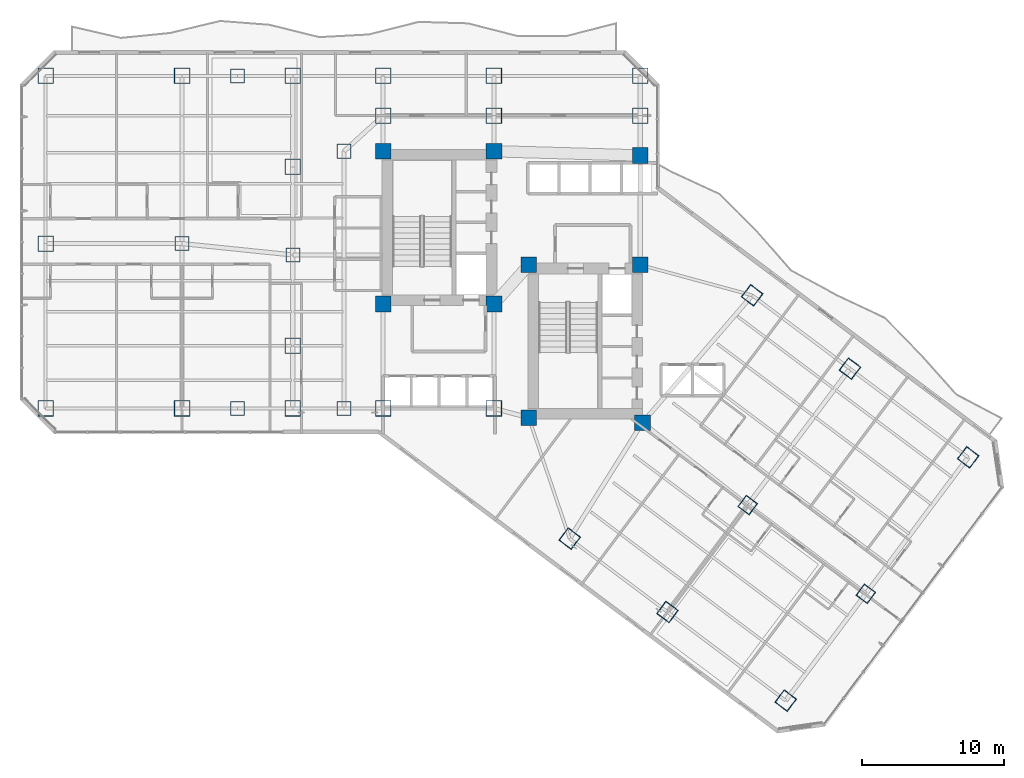
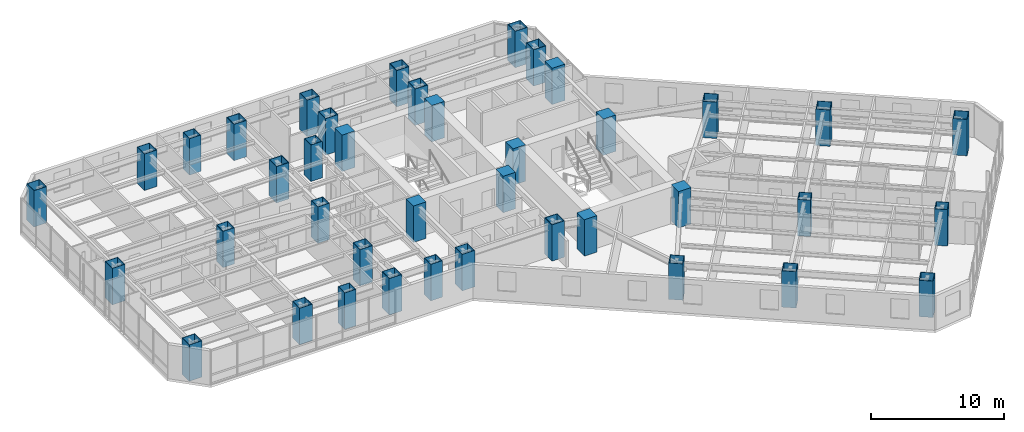
# One storey, part 1 of 37: 40 columns.
"""IFC4 building model written with IfcOpenShell, lengths in metres."""

from ifc_helpers import new_model, si_unit, direction, frame, origin, origin_2d, place, context, subcontext, project, spatial, rectangle, hollow_rectangle, extrude, material, material_profile, profile_set, type_object, element, save


model = new_model("IFC4")

# Units and contexts
model_context = context("Model", 3, precision=1e-05, world=origin(), true_north=direction((0.0, 1.0)))
body_context = subcontext(model_context, "Body", "Model", "MODEL_VIEW")
ifc_project = project(units=[si_unit("LENGTHUNIT", "METRE"), si_unit("AREAUNIT", "SQUARE_METRE"), si_unit("VOLUMEUNIT", "CUBIC_METRE"), si_unit("PLANEANGLEUNIT", "RADIAN"), si_unit("MASSUNIT", "GRAM", prefix="KILO")], contexts=[model_context])

# Site, building, storey
site_placement = place(None, origin())
site = spatial("IfcSite", under=ifc_project, at=site_placement, CompositionType="ELEMENT")
building_placement = place(site_placement, origin())
building = spatial("IfcBuilding", under=site, at=building_placement, Name="Hatsunagi Terrace Concourse", CompositionType="ELEMENT")
storey_placement = place(building_placement, frame((0.0, 0.0, 50.0)))
storey = spatial("IfcBuildingStorey", under=building, at=storey_placement, Name="L12", CompositionType="ELEMENT", Elevation=50.0)

# Columns
ifc_material_1 = material(Name="Concrete Fc60", Category="concrete")
ifc_material_profile_1 = material_profile(ifc_material_1, rectangle(XDim=1.10009765625, YDim=1.10009765625, at=origin_2d()), Name="RC-1100x1100")
ifc_profile_set_1 = profile_set([ifc_material_profile_1], Name="Concrete Fc60")
column_type_1 = type_object("IfcColumnType", Name="CoreColumn_RC_1100x1100", PredefinedType="COLUMN", material=ifc_profile_set_1)
for number, where, z_axis, x_axis, name in (
    (1, (25.550048828125, 32.550048828125, 0.0), (0.0, 0.0, 1.0), (1.0, 0.0, 0.0), "Column C-01 L12-CASW"),
    (2, (33.35009765625, 32.550048828125, 0.0), (0.0, 0.0, 1.0), (1.0, 0.0, 0.0), "Column C-01 L12-CASE"),
    (3, (25.550048828125, 43.300048828125, 0.0), (0.0, 0.0, 1.0), (1.0, 0.0, 0.0), "Column C-01 L12-CANW"),
    (4, (33.35009765625, 43.300048828125, 0.0), (0.0, 0.0, 1.0), (1.0, 0.0, 0.0), "Column C-01 L12-CANE"),
    (5, (35.800048828125, 24.550048828125, 0.0), (0.0, 0.0, 1.0), (1.0, 0.0, 0.0), "Column C-01 L12-CBSW"),
    (6, (43.800048828125, 24.199951171875, 0.0), (0.0, 0.0, 1.0), (1.0, 0.0, 0.0), "Column C-01 L12-CBSE"),
    (7, (35.800048828125, 35.300048828125, 0.0), (0.0, 0.0, 1.0), (1.0, 0.0, 0.0), "Column C-01 L12-CBNW"),
    (8, (43.64990234375, 35.300048828125, 0.0), (0.0, 0.0, 1.0), (1.0, 0.0, 0.0), "Column C-01 L12-CBNE"),
    (9, (43.64990234375, 43.0, 0.0), (0.0, 0.0, 1.0), (1.0, 0.0, 0.0), "Column C-01 L12-K3"),
):
    element("IfcColumn", number, at=place(storey_placement, frame(where, z_axis=z_axis, x_axis=x_axis)), inside=storey, type_object=column_type_1, Name=name, PredefinedType="COLUMN", context=body_context, shape_type="SweptSolid", body=[
        extrude(rectangle(XDim=1.10009765625, YDim=1.10009765625, at=origin_2d()), origin(), (0.0, 0.0, 1.0), 3.35009765625),
    ])
ifc_material_2 = material(Name="Steel BCP325T", Category="steel")
ifc_material_profile_2 = material_profile(ifc_material_2, hollow_rectangle(XDim=1.10009765625, YDim=1.10009765625, WallThickness=0.0400390625, at=origin_2d()), Name="BCP-1100x1100x40")
ifc_profile_set_2 = profile_set([ifc_material_profile_2], Name="Steel BCP325T")
column_type_2 = type_object("IfcColumnType", Name="MegaColumn_BCP_1100x1100x40", PredefinedType="COLUMN", material=ifc_profile_set_2)
for number, where, z_axis, x_axis, name in (
    (10, (25.550048828125, 25.199951171875, 0.0), (0.0, 0.0, 1.0), (1.0, 0.0, 0.0), "Mega column MC-02 L12-K1"),
    (11, (33.35009765625, 25.199951171875, 0.0), (0.0, 0.0, 1.0), (1.0, 0.0, 0.0), "Mega column MC-02 L12-K2"),
    (12, (25.550048828125, 45.800048828125, 0.0), (0.0, 0.0, 1.0), (1.0, 0.0, 0.0), "Mega column MC-02 L12-CN1"),
    (13, (33.35009765625, 45.800048828125, 0.0), (0.0, 0.0, 1.0), (1.0, 0.0, 0.0), "Mega column MC-02 L12-CN2"),
    (14, (43.64990234375, 45.800048828125, 0.0), (0.0, 0.0, 1.0), (1.0, 0.0, 0.0), "Mega column MC-02 L12-CN3"),
    (15, (1.800048828125, 25.199951171875, 0.0), (0.0, 0.0, 1.0), (1.0, 0.0, 0.0), "Mega column MC-02 L12-WS1"),
    (16, (1.800048828125, 48.60009765625, 0.0), (0.0, 0.0, 1.0), (1.0, 0.0, 0.0), "Mega column MC-02 L12-WN1"),
    (17, (1.800048828125, 36.800048828125, 0.0), (0.0, 0.0, 1.0), (1.0, 0.0, 0.0), "Mega column MC-02 L12-WM0"),
    (18, (11.39990234375, 25.199951171875, 0.0), (0.0, 0.0, 1.0), (1.0, 0.0, 0.0), "Mega column MC-02 L12-WS2"),
    (19, (11.39990234375, 48.60009765625, 0.0), (0.0, 0.0, 1.0), (1.0, 0.0, 0.0), "Mega column MC-02 L12-WN2"),
    (20, (19.199951171875, 48.60009765625, 0.0), (0.0, 0.0, 1.0), (1.0, 0.0, 0.0), "Mega column MC-02 L12-WN3"),
    (21, (25.550048828125, 48.60009765625, 0.0), (0.0, 0.0, 1.0), (1.0, 0.0, 0.0), "Mega column MC-02 L12-WN4"),
    (22, (33.35009765625, 48.60009765625, 0.0), (0.0, 0.0, 1.0), (1.0, 0.0, 0.0), "Mega column MC-02 L12-WN5"),
    (23, (43.64990234375, 48.60009765625, 0.0), (0.0, 0.0, 1.0), (1.0, 0.0, 0.0), "Mega column MC-02 L12-WN6"),
    (24, (19.199951171875, 25.199951171875, 0.0), (0.0, 0.0, 1.0), (1.0, 0.0, 0.0), "Mega column MC-02 L12-WS3"),
    (25, (19.199951171875, 29.60009765625, 0.0), (0.0, 0.0, 1.0), (1.0, 0.0, 0.0), "Mega column MC-02 L12-WR1"),
    (26, (19.199951171875, 42.199951171875, 0.0), (0.0, 0.0, 1.0), (1.0, 0.0, 0.0), "Mega column MC-02 L12-WR2"),
    (27, (38.679931640625, 16.0400390625, 0.0), (0.0, 0.0, 1.0), (0.799999996291, -0.600000004945, 0.0), "Mega column MC-02 L12-SES1"),
    (28, (51.52001953125, 33.159912109375, 0.0), (0.0, 0.0, 1.0), (0.799999996291, -0.600000004945, 0.0), "Mega column MC-02 L12-SEN1"),
    (29, (45.56005859375, 10.8798828125, 0.0), (0.0, 0.0, 1.0), (0.799999996291, -0.600000004945, 0.0), "Mega column MC-02 L12-SES2"),
    (30, (58.39990234375, 28.0, 0.0), (0.0, 0.0, 1.0), (0.799999996291, -0.600000004945, 0.0), "Mega column MC-02 L12-SEN2"),
    (31, (53.8798828125, 4.639892578125, 0.0), (0.0, 0.0, 1.0), (0.799999996291, -0.600000004945, 0.0), "Mega column MC-02 L12-SES3"),
    (32, (66.719970703125, 21.760009765625, 0.0), (0.0, 0.0, 1.0), (0.799999996291, -0.600000004945, 0.0), "Mega column MC-02 L12-SEN3"),
):
    element("IfcColumn", number, at=place(storey_placement, frame(where, z_axis=z_axis, x_axis=x_axis)), inside=storey, type_object=column_type_2, Name=name, PredefinedType="COLUMN", context=body_context, shape_type="SweptSolid", body=[
        extrude(hollow_rectangle(XDim=1.10009765625, YDim=1.10009765625, WallThickness=0.0400390625, at=origin_2d()), origin(), (0.0, 0.0, 1.0), 3.35009765625),
    ])
ifc_material_3 = material(Name="Steel BCP325T", Category="steel")
ifc_material_profile_3 = material_profile(ifc_material_3, hollow_rectangle(XDim=1.0, YDim=1.0, WallThickness=0.0380859375, at=origin_2d()), Name="BCP-1000x1000x38")
ifc_profile_set_3 = profile_set([ifc_material_profile_3], Name="Steel BCP325T")
column_type_3 = type_object("IfcColumnType", Name="TowerBoxColumn_1000x1000x38", PredefinedType="COLUMN", material=ifc_profile_set_3)
for number, where, z_axis, x_axis, name in (
    (33, (22.800048828125, 25.199951171875, 0.0), (0.0, 0.0, 1.0), (1.0, 0.0, 0.0), "Column C-03 L12-CW1"),
    (34, (22.800048828125, 43.300048828125, 0.0), (0.0, 0.0, 1.0), (1.0, 0.0, 0.0), "Column C-03 L12-CW2"),
    (35, (11.39990234375, 36.800048828125, 0.0), (0.0, 0.0, 1.0), (1.0, 0.0, 0.0), "Column C-03 L12-WT1"),
    (36, (19.199951171875, 36.0, 0.0), (0.0, 0.0, 1.0), (1.0, 0.0, 0.0), "Column C-03 L12-WT2"),
    (37, (15.300048828125, 25.199951171875, 0.0), (0.0, 0.0, 1.0), (1.0, 0.0, 0.0), "Column C-03 L12-WT3"),
    (38, (15.300048828125, 48.60009765625, 0.0), (0.0, 0.0, 1.0), (1.0, 0.0, 0.0), "Column C-03 L12-WT4"),
    (39, (51.199951171875, 18.39990234375, 0.0), (0.0, 0.0, 1.0), (0.799999996291, -0.600000004945, 0.0), "Column C-03 L12-SEM2"),
    (40, (59.52001953125, 12.159912109375, 0.0), (0.0, 0.0, 1.0), (0.799999996291, -0.600000004945, 0.0), "Column C-03 L12-SEM3"),
):
    element("IfcColumn", number, at=place(storey_placement, frame(where, z_axis=z_axis, x_axis=x_axis)), inside=storey, type_object=column_type_3, Name=name, PredefinedType="COLUMN", context=body_context, shape_type="SweptSolid", body=[
        extrude(hollow_rectangle(XDim=1.0, YDim=1.0, WallThickness=0.0380859375, at=origin_2d()), origin(), (0.0, 0.0, 1.0), 3.35009765625),
    ])

save(model, "model.ifc")
